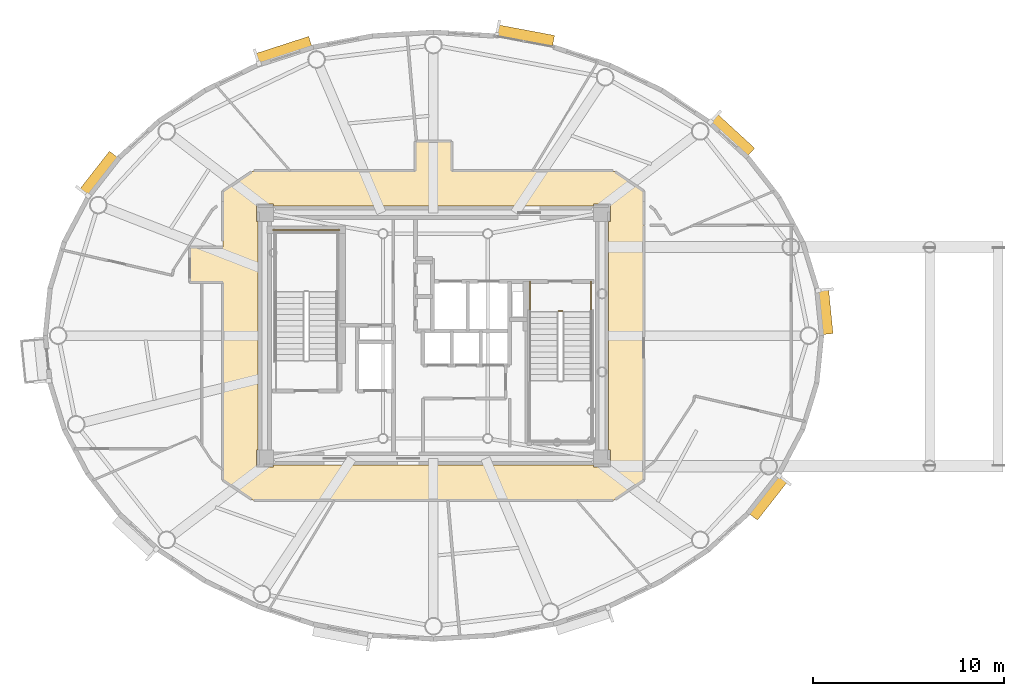
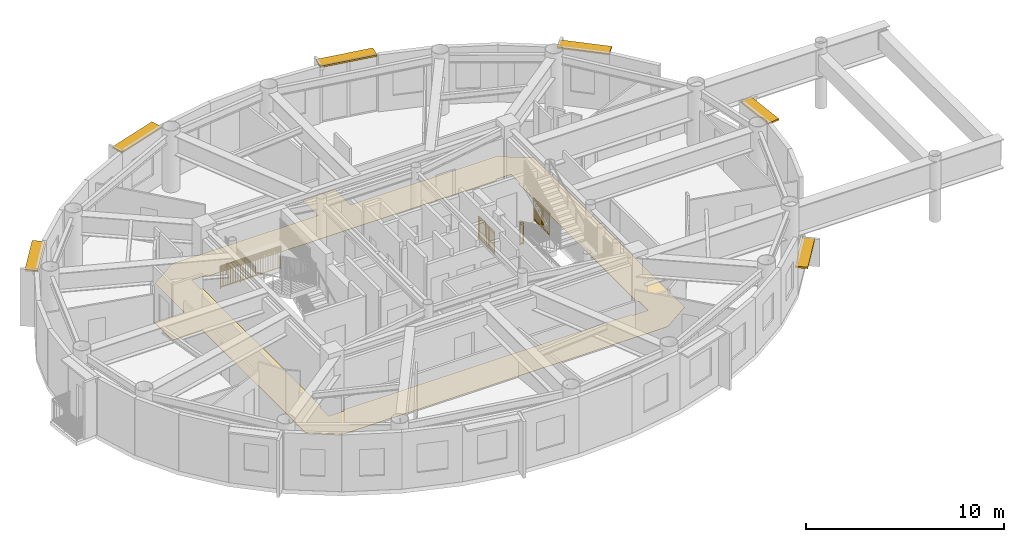
# One storey, part 16 of 16: 6 shading devices, 4 railings, 1 covering.
"""IFC4 building model written with IfcOpenShell, lengths in metres."""

from ifc_helpers import new_model, si_unit, direction, frame, origin, origin_2d, place, context, subcontext, project, spatial, polyline, rectangle, outline, extrude, source, transform, mapped, material, layer, layer_set, type_object, element, save


model = new_model("IFC4")

# Units and contexts
model_context = context("Model", 3, precision=1e-05, world=origin(), true_north=direction((0.0, 1.0)))
body_context = subcontext(model_context, "Body", "Model", "MODEL_VIEW")
ifc_project = project(units=[si_unit("LENGTHUNIT", "METRE"), si_unit("AREAUNIT", "SQUARE_METRE"), si_unit("VOLUMEUNIT", "CUBIC_METRE"), si_unit("PLANEANGLEUNIT", "RADIAN"), si_unit("MASSUNIT", "GRAM", prefix="KILO")], contexts=[model_context])

# Site, building, storey
site_placement = place(None, origin())
site = spatial("IfcSite", under=ifc_project, at=site_placement, CompositionType="ELEMENT")
building_placement = place(site_placement, origin())
building = spatial("IfcBuilding", under=site, at=building_placement, Name="Linh Dai School and Residence Tower", CompositionType="ELEMENT")
storey_placement = place(building_placement, frame((0.0, 0.0, 343.0)))
storey = spatial("IfcBuildingStorey", under=building, at=storey_placement, Name="L85", CompositionType="ELEMENT", Elevation=343.0)

# Covering
ifc_material_1 = material(Name="Polished Terrazzo Floor Finish", Category="masonry")
ifc_layer_1 = layer(ifc_material_1, 0.02490234375)
ifc_layer_set_1 = layer_set([ifc_layer_1], Name="Polished Terrazzo Floor Finish")
covering_type = type_object("IfcCoveringType", Name="COV-FLR-TRZ-25", PredefinedType="FLOORING", material=ifc_layer_set_1)
covering_placement = place(storey_placement, origin())
element("IfcCovering", 1, at=covering_placement, inside=storey, type_object=covering_type, Name="L85 Residential Floor Corridor Floor Finish", PredefinedType="FLOORING", context=body_context, shape_type="SweptSolid", body=[
    extrude(outline(polyline([(23.199951171875, 31.64990234375), (24.949951171875, 31.64990234375), (24.949951171875, 34.58251953125), (26.458740234375, 35.591796875), (26.580078125, 35.64990234375), (35.050048828125, 35.64990234375), (35.050048828125, 37.199951171875), (36.949951171875, 37.199951171875), (36.949951171875, 35.64990234375), (45.419921875, 35.64990234375), (45.541259765625, 35.591796875), (47.050048828125, 34.58251953125), (47.050048828125, 19.41748046875), (45.541259765625, 18.408203125), (45.419921875, 18.35009765625), (26.580078125, 18.35009765625), (26.458740234375, 18.408203125), (24.949951171875, 19.41748046875), (24.949951171875, 29.800048828125), (23.199951171875, 29.800048828125), (23.199951171875, 31.64990234375)]), holes=[polyline([(27.60009765625, 33.800048828125), (27.60009765625, 33.89990234375), (26.699951171875, 33.89990234375), (26.699951171875, 33.0), (26.800048828125, 33.0), (26.800048828125, 21.0), (26.699951171875, 21.0), (26.699951171875, 20.10009765625), (27.60009765625, 20.10009765625), (27.60009765625, 20.199951171875), (44.39990234375, 20.199951171875), (44.39990234375, 20.10009765625), (45.300048828125, 20.10009765625), (45.300048828125, 21.0), (45.199951171875, 21.0), (45.199951171875, 33.0), (45.300048828125, 33.0), (45.300048828125, 33.89990234375), (44.39990234375, 33.89990234375), (44.39990234375, 33.800048828125), (27.60009765625, 33.800048828125)])]), origin(), (0.0, 0.0, 1.0), 0.02001953125),
])

# Shading devices
ifc_material_2 = material(Name="Terracotta Ceramic Sunshade", Category="masonry")
ifc_layer_2 = layer(ifc_material_2, 0.10009765625)
ifc_layer_set_2 = layer_set([ifc_layer_2], Name="Terracotta Ceramic Sunshade")
shading_device_type = type_object("IfcShadingDeviceType", Name="SHD-TC-650", PredefinedType="USERDEFINED", material=ifc_layer_set_2)
shared_shape_1 = source(origin(), body_context, "Body", "SweptSolid", [
    extrude(rectangle(XDim=2.3994140625, YDim=0.64990234375, at=origin_2d()), origin(), (0.0, 0.0, 1.0), 0.10009765625),
])
shading_device_1_placement = place(storey_placement, frame((56.53369140625, 28.27197265625, 3.3798828125), z_axis=(0.0, 0.0, 1.0), x_axis=(0.099991763355, -0.994988264886, 0.0)))
element("IfcShadingDevice", 2, at=shading_device_1_placement, inside=storey, type_object=shading_device_type, Name="L85 Terracotta Horizontal Sunshade Band 01", ObjectType="SUNSHADE", PredefinedType="USERDEFINED", context=body_context, shape_type="MappedRepresentation", body=[
    mapped(shared_shape_1, transform((0.0, 0.0, 0.0), x_axis=(1.0, 0.0, 0.0), y_axis=(0.0, 1.0, 0.0), z_axis=(0.0, 0.0, 1.0), scale=1.0)),
])
shared_shape_2 = source(origin(), body_context, "Body", "SweptSolid", [
    extrude(rectangle(XDim=2.7021484375, YDim=0.64990234375, at=origin_2d()), origin(), (0.0, 0.0, 1.0), 0.10009765625),
])
shading_device_2_placement = place(storey_placement, frame((51.6484375, 37.51318359375, 3.3798828125), z_axis=(0.0, 0.0, 1.0), x_axis=(0.73704750866, -0.675840935412, 0.0)))
element("IfcShadingDevice", 3, at=shading_device_2_placement, inside=storey, type_object=shading_device_type, Name="L85 Terracotta Horizontal Sunshade Band 05", ObjectType="SUNSHADE", PredefinedType="USERDEFINED", context=body_context, shape_type="MappedRepresentation", body=[
    mapped(shared_shape_2, transform((0.0, 0.0, 0.0), x_axis=(1.0, 0.0, 0.0), y_axis=(0.0, 1.0, 0.0), z_axis=(0.0, 0.0, 1.0), scale=1.0)),
])
shared_shape_3 = source(origin(), body_context, "Body", "SweptSolid", [
    extrude(rectangle(XDim=3.040283203125, YDim=0.64990234375, at=origin_2d()), origin(), (0.0, 0.0, 1.0), 0.10009765625),
])
shading_device_3_placement = place(storey_placement, frame((40.800537109375, 42.720703125, 3.3798828125), z_axis=(0.0, 0.0, 1.0), x_axis=(0.982779051851, -0.184784564405, 0.0)))
element("IfcShadingDevice", 4, at=shading_device_3_placement, inside=storey, type_object=shading_device_type, Name="L85 Terracotta Horizontal Sunshade Band 09", ObjectType="SUNSHADE", PredefinedType="USERDEFINED", context=body_context, shape_type="MappedRepresentation", body=[
    mapped(shared_shape_3, transform((0.0, 0.0, 0.0), x_axis=(1.0, 0.0, 0.0), y_axis=(0.0, 1.0, 0.0), z_axis=(0.0, 0.0, 1.0), scale=1.0)),
])
shared_shape_4 = source(origin(), body_context, "Body", "SweptSolid", [
    extrude(rectangle(XDim=2.98388671875, YDim=0.64990234375, at=origin_2d()), origin(), (0.0, 0.0, 1.0), 0.10009765625),
])
shading_device_4_placement = place(storey_placement, frame((28.1298828125, 41.939697265625, 3.3798828125), z_axis=(0.0, 0.0, 1.0), x_axis=(0.951203168298, 0.30856528097, 0.0)))
element("IfcShadingDevice", 5, at=shading_device_4_placement, inside=storey, type_object=shading_device_type, Name="L85 Terracotta Horizontal Sunshade Band 13", ObjectType="SUNSHADE", PredefinedType="USERDEFINED", context=body_context, shape_type="MappedRepresentation", body=[
    mapped(shared_shape_4, transform((0.0, 0.0, 0.0), x_axis=(1.0, 0.0, 0.0), y_axis=(0.0, 1.0, 0.0), z_axis=(0.0, 0.0, 1.0), scale=1.0)),
])
shared_shape_5 = source(origin(), body_context, "Body", "SweptSolid", [
    extrude(rectangle(XDim=2.597900390625, YDim=0.64990234375, at=origin_2d()), origin(), (0.0, 0.0, 1.0), 0.10009765625),
])
for number, where, z_axis, x_axis, name in (
    (6, (18.448486328125, 35.4619140625, 3.3798828125), (0.0, 0.0, 1.0), (0.616246583361, 0.787553267085, 0.0), "L85 Terracotta Horizontal Sunshade Band 17"),
    (7, (53.551513671875, 18.5380859375, 1.56494140625), (0.0, 0.0, 1.0), (-0.616246583361, -0.787553267085, 0.0), "L85 Terracotta Horizontal Sunshade Band 37"),
):
    element("IfcShadingDevice", number, at=place(storey_placement, frame(where, z_axis=z_axis, x_axis=x_axis)), inside=storey, type_object=shading_device_type, Name=name, ObjectType="SUNSHADE", PredefinedType="USERDEFINED", context=body_context, shape_type="MappedRepresentation", body=[
        mapped(shared_shape_5, transform((0.0, 0.0, 0.0), x_axis=(1.0, 0.0, 0.0), y_axis=(0.0, 1.0, 0.0), z_axis=(0.0, 0.0, 1.0), scale=1.0)),
    ])

# Railings
ifc_material_3 = material(Name="Structural Steel S355JR", Category="steel")
railing_type = type_object("IfcRailingType", Name="RL-ST-GUARD-1400", PredefinedType="GUARDRAIL", material=ifc_material_3)
shared_shape_6 = source(origin(), body_context, "Body", "SweptSolid", [
    extrude(rectangle(XDim=0.048095703125, YDim=0.048095703125, at=origin_2d()), frame((0.0, 0.0, 1.3759765625), z_axis=(-1.0, 0.0, 0.0), x_axis=(0.0, -1.0, 0.0)), (0.0, 0.0, 1.0), 3.5),
    extrude(rectangle(XDim=0.048095703125, YDim=0.048095703125, at=origin_2d()), frame((0.0, 0.0, 0.10009765625), z_axis=(-1.0, 0.0, 0.0), x_axis=(0.0, -1.0, 0.0)), (0.0, 0.0, 1.0), 3.5),
    extrude(rectangle(XDim=0.030029296875, YDim=0.030029296875, at=origin_2d()), frame((0.0, 0.0, 1.239990234375), z_axis=(-1.0, 0.0, 0.0), x_axis=(0.0, -1.0, 0.0)), (0.0, 0.0, 1.0), 3.5),
    extrude(rectangle(XDim=0.02001953125, YDim=0.02001953125, at=origin_2d()), frame((-0.09716796875, 0.0, 0.10009765625)), (0.0, 0.0, 1.0), 1.251708984375),
    extrude(rectangle(XDim=0.02001953125, YDim=0.02001953125, at=origin_2d()), frame((-0.1943359375, 0.0, 0.10009765625)), (0.0, 0.0, 1.0), 1.251708984375),
    extrude(rectangle(XDim=0.02001953125, YDim=0.02001953125, at=origin_2d()), frame((-0.291748046875, 0.0, 0.10009765625)), (0.0, 0.0, 1.0), 1.251708984375),
    extrude(rectangle(XDim=0.02001953125, YDim=0.02001953125, at=origin_2d()), frame((-0.388916015625, 0.0, 0.10009765625)), (0.0, 0.0, 1.0), 1.251708984375),
    extrude(rectangle(XDim=0.02001953125, YDim=0.02001953125, at=origin_2d()), frame((-0.486083984375, 0.0, 0.10009765625)), (0.0, 0.0, 1.0), 1.251708984375),
    extrude(rectangle(XDim=0.02001953125, YDim=0.02001953125, at=origin_2d()), frame((-0.583251953125, 0.0, 0.10009765625)), (0.0, 0.0, 1.0), 1.251708984375),
    extrude(rectangle(XDim=0.02001953125, YDim=0.02001953125, at=origin_2d()), frame((-0.6806640625, 0.0, 0.10009765625)), (0.0, 0.0, 1.0), 1.251708984375),
    extrude(rectangle(XDim=0.02001953125, YDim=0.02001953125, at=origin_2d()), frame((-0.77783203125, 0.0, 0.10009765625)), (0.0, 0.0, 1.0), 1.251708984375),
    extrude(rectangle(XDim=0.02001953125, YDim=0.02001953125, at=origin_2d()), frame((-0.875, 0.0, 0.10009765625)), (0.0, 0.0, 1.0), 1.251708984375),
    extrude(rectangle(XDim=0.02001953125, YDim=0.02001953125, at=origin_2d()), frame((-0.97216796875, 0.0, 0.10009765625)), (0.0, 0.0, 1.0), 1.251708984375),
    extrude(rectangle(XDim=0.02001953125, YDim=0.02001953125, at=origin_2d()), frame((-1.0693359375, 0.0, 0.10009765625)), (0.0, 0.0, 1.0), 1.251708984375),
    extrude(rectangle(XDim=0.02001953125, YDim=0.02001953125, at=origin_2d()), frame((-1.263916015625, 0.0, 0.10009765625)), (0.0, 0.0, 1.0), 1.251708984375),
    extrude(rectangle(XDim=0.02001953125, YDim=0.02001953125, at=origin_2d()), frame((-1.361083984375, 0.0, 0.10009765625)), (0.0, 0.0, 1.0), 1.251708984375),
    extrude(rectangle(XDim=0.02001953125, YDim=0.02001953125, at=origin_2d()), frame((-1.458251953125, 0.0, 0.10009765625)), (0.0, 0.0, 1.0), 1.251708984375),
    extrude(rectangle(XDim=0.02001953125, YDim=0.02001953125, at=origin_2d()), frame((-1.5556640625, 0.0, 0.10009765625)), (0.0, 0.0, 1.0), 1.251708984375),
    extrude(rectangle(XDim=0.02001953125, YDim=0.02001953125, at=origin_2d()), frame((-1.65283203125, 0.0, 0.10009765625)), (0.0, 0.0, 1.0), 1.251708984375),
    extrude(rectangle(XDim=0.02001953125, YDim=0.02001953125, at=origin_2d()), frame((-1.75, 0.0, 0.10009765625)), (0.0, 0.0, 1.0), 1.251708984375),
    extrude(rectangle(XDim=0.02001953125, YDim=0.02001953125, at=origin_2d()), frame((-1.84716796875, 0.0, 0.10009765625)), (0.0, 0.0, 1.0), 1.251708984375),
    extrude(rectangle(XDim=0.02001953125, YDim=0.02001953125, at=origin_2d()), frame((-1.9443359375, 0.0, 0.10009765625)), (0.0, 0.0, 1.0), 1.251708984375),
    extrude(rectangle(XDim=0.02001953125, YDim=0.02001953125, at=origin_2d()), frame((-2.041748046875, 0.0, 0.10009765625)), (0.0, 0.0, 1.0), 1.251708984375),
    extrude(rectangle(XDim=0.02001953125, YDim=0.02001953125, at=origin_2d()), frame((-2.138916015625, 0.0, 0.10009765625)), (0.0, 0.0, 1.0), 1.251708984375),
    extrude(rectangle(XDim=0.02001953125, YDim=0.02001953125, at=origin_2d()), frame((-2.236083984375, 0.0, 0.10009765625)), (0.0, 0.0, 1.0), 1.251708984375),
    extrude(rectangle(XDim=0.02001953125, YDim=0.02001953125, at=origin_2d()), frame((-2.4306640625, 0.0, 0.10009765625)), (0.0, 0.0, 1.0), 1.251708984375),
    extrude(rectangle(XDim=0.02001953125, YDim=0.02001953125, at=origin_2d()), frame((-2.52783203125, 0.0, 0.10009765625)), (0.0, 0.0, 1.0), 1.251708984375),
    extrude(rectangle(XDim=0.02001953125, YDim=0.02001953125, at=origin_2d()), frame((-2.625, 0.0, 0.10009765625)), (0.0, 0.0, 1.0), 1.251708984375),
    extrude(rectangle(XDim=0.02001953125, YDim=0.02001953125, at=origin_2d()), frame((-2.72216796875, 0.0, 0.10009765625)), (0.0, 0.0, 1.0), 1.251708984375),
    extrude(rectangle(XDim=0.02001953125, YDim=0.02001953125, at=origin_2d()), frame((-2.8193359375, 0.0, 0.10009765625)), (0.0, 0.0, 1.0), 1.251708984375),
    extrude(rectangle(XDim=0.02001953125, YDim=0.02001953125, at=origin_2d()), frame((-2.916748046875, 0.0, 0.10009765625)), (0.0, 0.0, 1.0), 1.251708984375),
    extrude(rectangle(XDim=0.02001953125, YDim=0.02001953125, at=origin_2d()), frame((-3.013916015625, 0.0, 0.10009765625)), (0.0, 0.0, 1.0), 1.251708984375),
    extrude(rectangle(XDim=0.02001953125, YDim=0.02001953125, at=origin_2d()), frame((-3.111083984375, 0.0, 0.10009765625)), (0.0, 0.0, 1.0), 1.251708984375),
    extrude(rectangle(XDim=0.02001953125, YDim=0.02001953125, at=origin_2d()), frame((-3.208251953125, 0.0, 0.10009765625)), (0.0, 0.0, 1.0), 1.251708984375),
    extrude(rectangle(XDim=0.02001953125, YDim=0.02001953125, at=origin_2d()), frame((-3.3056640625, 0.0, 0.10009765625)), (0.0, 0.0, 1.0), 1.251708984375),
    extrude(rectangle(XDim=0.02001953125, YDim=0.02001953125, at=origin_2d()), frame((-3.40283203125, 0.0, 0.10009765625)), (0.0, 0.0, 1.0), 1.251708984375),
    extrude(rectangle(XDim=0.0419921875, YDim=0.0419921875, at=origin_2d()), origin(), (0.0, 0.0, 1.0), 1.3759765625),
    extrude(rectangle(XDim=0.0419921875, YDim=0.0419921875, at=origin_2d()), frame((-1.166748046875, 0.0, 0.0)), (0.0, 0.0, 1.0), 1.3759765625),
    extrude(rectangle(XDim=0.0419921875, YDim=0.0419921875, at=origin_2d()), frame((-2.333251953125, 0.0, 0.0)), (0.0, 0.0, 1.0), 1.3759765625),
    extrude(rectangle(XDim=0.0419921875, YDim=0.0419921875, at=origin_2d()), frame((-3.5, 0.0, 0.0)), (0.0, 0.0, 1.0), 1.3759765625),
])
railing_1_placement = place(storey_placement, frame((31.080078125, 32.550048828125, 0.0)))
element("IfcRailing", 8, at=railing_1_placement, inside=storey, type_object=railing_type, Name="L85 ST1 stair guard 12", PredefinedType="GUARDRAIL", context=body_context, shape_type="MappedRepresentation", body=[
    mapped(shared_shape_6, transform((0.0, 0.0, 0.0), x_axis=(1.0, 0.0, 0.0), y_axis=(0.0, 1.0, 0.0), z_axis=(0.0, 0.0, 1.0), scale=1.0)),
])
shared_shape_7 = source(origin(), body_context, "Body", "SweptSolid", [
    extrude(rectangle(XDim=0.048095703125, YDim=0.048095703125, at=origin_2d()), frame((0.0, 0.0, 1.3759765625), z_axis=(1.0, 0.0, 0.0), x_axis=(0.0, 1.0, 0.0)), (0.0, 0.0, 1.0), 0.199951171875),
    extrude(rectangle(XDim=0.048095703125, YDim=0.048095703125, at=origin_2d()), frame((0.0, 0.0, 0.10009765625), z_axis=(1.0, 0.0, 0.0), x_axis=(0.0, 1.0, 0.0)), (0.0, 0.0, 1.0), 0.199951171875),
    extrude(rectangle(XDim=0.030029296875, YDim=0.030029296875, at=origin_2d()), frame((0.0, 0.0, 1.239990234375), z_axis=(1.0, 0.0, 0.0), x_axis=(0.0, 1.0, 0.0)), (0.0, 0.0, 1.0), 0.199951171875),
    extrude(rectangle(XDim=0.0419921875, YDim=0.0419921875, at=origin_2d()), origin(), (0.0, 0.0, 1.0), 1.3759765625),
    extrude(rectangle(XDim=0.0419921875, YDim=0.0419921875, at=origin_2d()), frame((0.199951171875, 0.0, 0.0)), (0.0, 0.0, 1.0), 1.3759765625),
])
railing_2_placement = place(storey_placement, frame((42.570068359375, 28.300048828125, 0.0)))
element("IfcRailing", 9, at=railing_2_placement, inside=storey, type_object=railing_type, Name="L85 ST2 stair guard 7", PredefinedType="GUARDRAIL", context=body_context, shape_type="MappedRepresentation", body=[
    mapped(shared_shape_7, transform((0.0, 0.0, 0.0), x_axis=(1.0, 0.0, 0.0), y_axis=(0.0, 1.0, 0.0), z_axis=(0.0, 0.0, 1.0), scale=1.0)),
])
shared_shape_8 = source(origin(), body_context, "Body", "SweptSolid", [
    extrude(rectangle(XDim=0.048095703125, YDim=0.048095703125, at=origin_2d()), frame((0.0, 0.0, 1.3759765625), z_axis=(0.0, -1.0, 0.0), x_axis=(1.0, 0.0, 0.0)), (0.0, 0.0, 1.0), 1.60009765625),
    extrude(rectangle(XDim=0.048095703125, YDim=0.048095703125, at=origin_2d()), frame((0.0, 0.0, 0.10009765625), z_axis=(0.0, -1.0, 0.0), x_axis=(1.0, 0.0, 0.0)), (0.0, 0.0, 1.0), 1.60009765625),
    extrude(rectangle(XDim=0.030029296875, YDim=0.030029296875, at=origin_2d()), frame((0.0, 0.0, 1.239990234375), z_axis=(0.0, -1.0, 0.0), x_axis=(1.0, 0.0, 0.0)), (0.0, 0.0, 1.0), 1.60009765625),
    extrude(rectangle(XDim=0.02001953125, YDim=0.02001953125, at=origin_2d()), frame((0.0, -0.09423828125, 0.10009765625)), (0.0, 0.0, 1.0), 1.251708984375),
    extrude(rectangle(XDim=0.02001953125, YDim=0.02001953125, at=origin_2d()), frame((0.0, -0.188232421875, 0.10009765625)), (0.0, 0.0, 1.0), 1.251708984375),
    extrude(rectangle(XDim=0.02001953125, YDim=0.02001953125, at=origin_2d()), frame((0.0, -0.282470703125, 0.10009765625)), (0.0, 0.0, 1.0), 1.251708984375),
    extrude(rectangle(XDim=0.02001953125, YDim=0.02001953125, at=origin_2d()), frame((0.0, -0.37646484375, 0.10009765625)), (0.0, 0.0, 1.0), 1.251708984375),
    extrude(rectangle(XDim=0.02001953125, YDim=0.02001953125, at=origin_2d()), frame((0.0, -0.470703125, 0.10009765625)), (0.0, 0.0, 1.0), 1.251708984375),
    extrude(rectangle(XDim=0.02001953125, YDim=0.02001953125, at=origin_2d()), frame((0.0, -0.564697265625, 0.10009765625)), (0.0, 0.0, 1.0), 1.251708984375),
    extrude(rectangle(XDim=0.02001953125, YDim=0.02001953125, at=origin_2d()), frame((0.0, -0.658935546875, 0.10009765625)), (0.0, 0.0, 1.0), 1.251708984375),
    extrude(rectangle(XDim=0.02001953125, YDim=0.02001953125, at=origin_2d()), frame((0.0, -0.7529296875, 0.10009765625)), (0.0, 0.0, 1.0), 1.251708984375),
    extrude(rectangle(XDim=0.02001953125, YDim=0.02001953125, at=origin_2d()), frame((0.0, -0.84716796875, 0.10009765625)), (0.0, 0.0, 1.0), 1.251708984375),
    extrude(rectangle(XDim=0.02001953125, YDim=0.02001953125, at=origin_2d()), frame((0.0, -0.941162109375, 0.10009765625)), (0.0, 0.0, 1.0), 1.251708984375),
    extrude(rectangle(XDim=0.02001953125, YDim=0.02001953125, at=origin_2d()), frame((0.0, -1.035400390625, 0.10009765625)), (0.0, 0.0, 1.0), 1.251708984375),
    extrude(rectangle(XDim=0.02001953125, YDim=0.02001953125, at=origin_2d()), frame((0.0, -1.12939453125, 0.10009765625)), (0.0, 0.0, 1.0), 1.251708984375),
    extrude(rectangle(XDim=0.02001953125, YDim=0.02001953125, at=origin_2d()), frame((0.0, -1.2236328125, 0.10009765625)), (0.0, 0.0, 1.0), 1.251708984375),
    extrude(rectangle(XDim=0.02001953125, YDim=0.02001953125, at=origin_2d()), frame((0.0, -1.317626953125, 0.10009765625)), (0.0, 0.0, 1.0), 1.251708984375),
    extrude(rectangle(XDim=0.02001953125, YDim=0.02001953125, at=origin_2d()), frame((0.0, -1.411865234375, 0.10009765625)), (0.0, 0.0, 1.0), 1.251708984375),
    extrude(rectangle(XDim=0.02001953125, YDim=0.02001953125, at=origin_2d()), frame((0.0, -1.505859375, 0.10009765625)), (0.0, 0.0, 1.0), 1.251708984375),
    extrude(rectangle(XDim=0.0419921875, YDim=0.0419921875, at=origin_2d()), origin(), (0.0, 0.0, 1.0), 1.3759765625),
    extrude(rectangle(XDim=0.0419921875, YDim=0.0419921875, at=origin_2d()), frame((0.0, -0.800048828125, 0.0)), (0.0, 0.0, 1.0), 1.3759765625),
    extrude(rectangle(XDim=0.0419921875, YDim=0.0419921875, at=origin_2d()), frame((0.0, -1.60009765625, 0.0)), (0.0, 0.0, 1.0), 1.3759765625),
])
for number, where, name in (
    (10, (41.070068359375, 29.85009765625, 0.0), "L85 ST2 stair guard 8"),
    (11, (44.27001953125, 29.85009765625, 0.0), "L85 ST2 stair guard 9"),
):
    element("IfcRailing", number, at=place(storey_placement, frame(where)), inside=storey, type_object=railing_type, Name=name, PredefinedType="GUARDRAIL", context=body_context, shape_type="MappedRepresentation", body=[
        mapped(shared_shape_8, transform((0.0, 0.0, 0.0), x_axis=(1.0, 0.0, 0.0), y_axis=(0.0, 1.0, 0.0), z_axis=(0.0, 0.0, 1.0), scale=1.0)),
    ])

save(model, "model.ifc")
